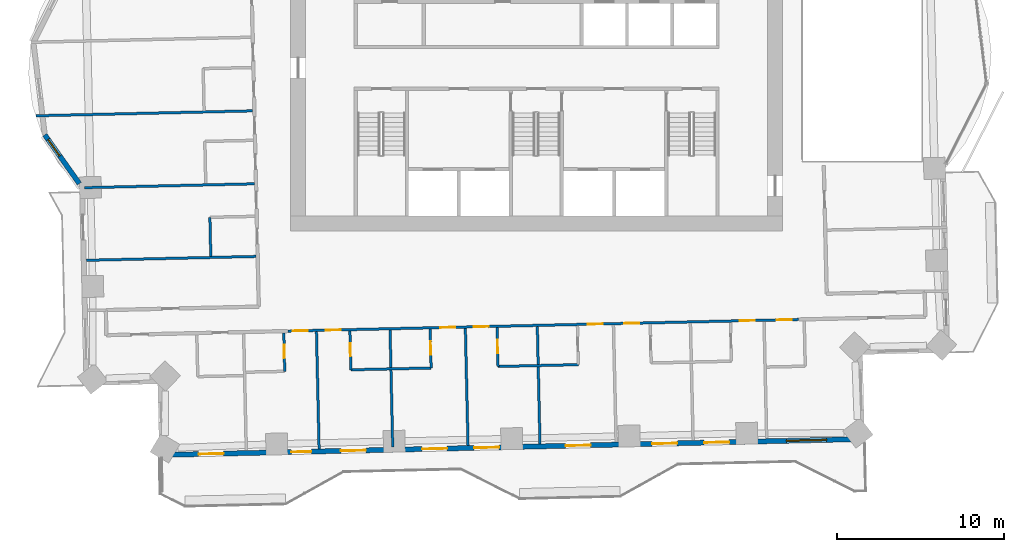
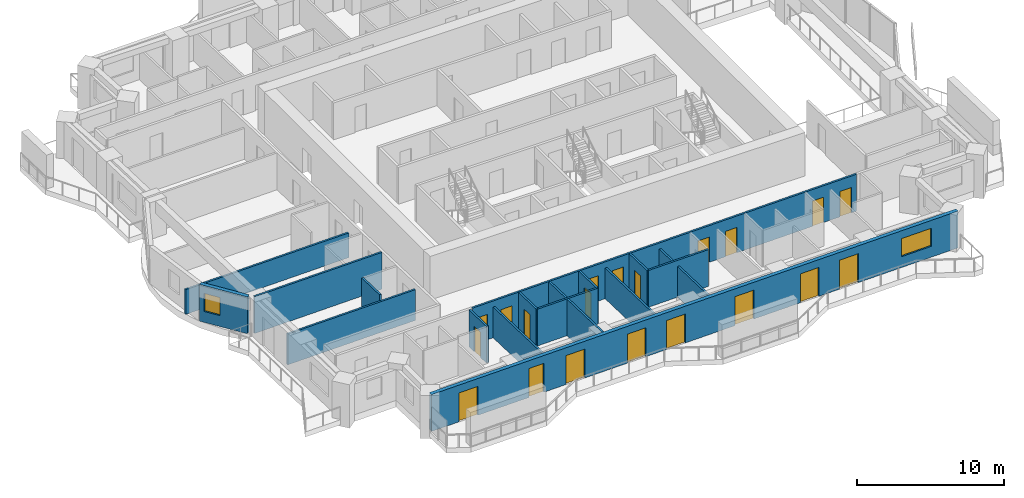
# One storey, part 6 of 16: 20 doors, 17 walls, 2 windows, 22 openings.
"""IFC4 building model written with IfcOpenShell, lengths in metres."""

from ifc_helpers import new_model, si_unit, direction, frame, frame_2d, origin, place, context, subcontext, project, spatial, rectangle, extrude, material, layer, layer_set, type_object, element, fill, save


model = new_model("IFC4")

# Units and contexts
model_context = context("Model", 3, precision=1e-05, world=origin(), true_north=direction((0.0, 1.0)))
body_context = subcontext(model_context, "Body", "Model", "MODEL_VIEW")
ifc_project = project(units=[si_unit("LENGTHUNIT", "METRE"), si_unit("AREAUNIT", "SQUARE_METRE"), si_unit("VOLUMEUNIT", "CUBIC_METRE"), si_unit("PLANEANGLEUNIT", "RADIAN"), si_unit("MASSUNIT", "GRAM", prefix="KILO")], contexts=[model_context])

# Site, building, storey
site_placement = place(None, origin())
site = spatial("IfcSite", under=ifc_project, at=site_placement, CompositionType="ELEMENT")
building_placement = place(site_placement, origin())
building = spatial("IfcBuilding", under=site, at=building_placement, Name="Mangrove Gate Tower", CompositionType="ELEMENT")
storey_placement = place(building_placement, frame((0.0, 0.0, 144.5)))
storey = spatial("IfcBuildingStorey", under=building, at=storey_placement, Name="L36", CompositionType="ELEMENT", Elevation=144.5)

# Wall, opening, window
ifc_material_1 = material(Name="Limestone", Category="masonry")
ifc_layer_1 = layer(ifc_material_1, 0.0400390625, Name="Limestone cladding")
ifc_material_2 = material(Name="Ventilated air gap")
ifc_layer_2 = layer(ifc_material_2, 0.0400390625, Name="Ventilated cavity")
ifc_material_3 = material(Name="Mineral wool insulation")
ifc_layer_3 = layer(ifc_material_3, 0.06005859375, Name="Insulation")
ifc_material_4 = material(Name="Breather membrane")
ifc_layer_4 = layer(ifc_material_4, 0.001953125, Name="Breather membrane")
ifc_material_5 = material(Name="Concrete C20/25 blockwork", Category="masonry")
ifc_layer_5 = layer(ifc_material_5, 0.14990234375, Name="Blockwork backing wall")
ifc_material_6 = material(Name="Gypsum plaster")
ifc_layer_6 = layer(ifc_material_6, 0.008056640625, Name="Internal plaster")
ifc_layer_set_1 = layer_set([ifc_layer_1, ifc_layer_2, ifc_layer_3, ifc_layer_4, ifc_layer_5, ifc_layer_6], Name="External wall 300 limestone cladding")
wall_type_1 = type_object("IfcWallType", Name="External wall 300 limestone cladding", PredefinedType="SOLIDWALL", material=ifc_layer_set_1)
wall_1_placement = place(storey_placement, frame((-29.387939453125, -5.9541015625, 0.0), z_axis=(0.0, 0.0, 1.0), x_axis=(0.578095163598, -0.815969351033, 0.0)))
wall_1 = element("IfcWall", 1, at=wall_1_placement, inside=storey, type_object=wall_type_1, Name="WALL-L36-W9f3", PredefinedType="SOLIDWALL", context=body_context, shape_type="SweptSolid", body=[
    extrude(rectangle(XDim=3.568603515625, YDim=0.300048828125, at=frame_2d((1.7841796875, 0.0))), origin(), (0.0, 0.0, 1.0), 3.050048828125),
])
opening_1_placement = place(wall_1_placement, frame((0.337890625, 0.0, 0.89990234375)))
opening_1 = element("IfcOpeningElement", 2, at=opening_1_placement, cuts=wall_1, Name="Opening W1", PredefinedType="OPENING", context=body_context, shape_type="SweptSolid", body=[
    extrude(rectangle(XDim=1.199951171875, YDim=1.5, at=frame_2d((0.60009765625, 0.75))), frame((0.0, 0.159912109375, 0.0), z_axis=(0.0, -1.0, 0.0), x_axis=(1.0, 0.0, 0.0)), (0.0, 0.0, 1.0), 0.320068359375),
])
ifc_material_7 = material(Name="Aluminium frame with double-glazed low-e glass", Category="aluminium")
window_type_1 = type_object("IfcWindowType", Name="Side lite 1200x1500", PartitioningType="SINGLE_PANEL", PredefinedType="WINDOW", material=ifc_material_7)
window_1_placement = place(opening_1_placement, origin())
window_1 = element("IfcWindow", 3, at=window_1_placement, inside=storey, type_object=window_type_1, Name="WIN-L36-W9f3", OverallHeight=1.5, OverallWidth=1.199951171875, PartitioningType="SINGLE_PANEL", PredefinedType="WINDOW", context=body_context, shape_type="SweptSolid", body=[
    extrude(rectangle(XDim=1.199951171875, YDim=1.5, at=frame_2d((0.60009765625, 0.75))), frame((0.0, 0.030029296875, 0.0), z_axis=(0.0, -1.0, 0.0), x_axis=(1.0, 0.0, 0.0)), (0.0, 0.0, 1.0), 0.06005859375),
])
fill(opening_1, window_1)

# Wall, openings, doors, window
wall_2_placement = place(storey_placement, frame((-22.39599609375, -25.077880859375, 0.0), z_axis=(0.0, 0.0, 1.0), x_axis=(0.99974279854, 0.022678993965, 0.0)))
wall_2 = element("IfcWall", 4, at=wall_2_placement, inside=storey, type_object=wall_type_1, Name="WALL-L36-S13", PredefinedType="SOLIDWALL", context=body_context, shape_type="SweptSolid", body=[
    extrude(rectangle(XDim=41.84375, YDim=0.300048828125, at=frame_2d((20.921875, 0.0))), origin(), (0.0, 0.0, 1.0), 3.050048828125),
])
opening_2_placement = place(wall_2_placement, frame((2.196044921875, 0.0, 0.0)))
opening_2 = element("IfcOpeningElement", 5, at=opening_2_placement, cuts=wall_2, Name="Opening BD1", PredefinedType="OPENING", context=body_context, shape_type="SweptSolid", body=[
    extrude(rectangle(XDim=1.5, YDim=2.39990234375, at=frame_2d((0.75, 1.199951171875))), frame((0.0, 0.159912109375, 0.0), z_axis=(0.0, -1.0, 0.0), x_axis=(1.0, 0.0, 0.0)), (0.0, 0.0, 1.0), 0.320068359375),
])
opening_3_placement = place(wall_2_placement, frame((7.737060546875, 0.0, 0.0)))
opening_3 = element("IfcOpeningElement", 6, at=opening_3_placement, cuts=wall_2, Name="Opening BD2", PredefinedType="OPENING", context=body_context, shape_type="SweptSolid", body=[
    extrude(rectangle(XDim=1.199951171875, YDim=2.39990234375, at=frame_2d((0.60009765625, 1.199951171875))), frame((0.0, 0.159912109375, 0.0), z_axis=(0.0, -1.0, 0.0), x_axis=(1.0, 0.0, 0.0)), (0.0, 0.0, 1.0), 0.320068359375),
])
opening_4_placement = place(wall_2_placement, frame((10.698974609375, 0.0, 0.0)))
opening_4 = element("IfcOpeningElement", 7, at=opening_4_placement, cuts=wall_2, Name="Opening BD1", PredefinedType="OPENING", context=body_context, shape_type="SweptSolid", body=[
    extrude(rectangle(XDim=1.5, YDim=2.39990234375, at=frame_2d((0.75, 1.199951171875))), frame((0.0, 0.159912109375, 0.0), z_axis=(0.0, -1.0, 0.0), x_axis=(1.0, 0.0, 0.0)), (0.0, 0.0, 1.0), 0.320068359375),
])
opening_5_placement = place(wall_2_placement, frame((15.549072265625, 0.0, 0.0)))
opening_5 = element("IfcOpeningElement", 8, at=opening_5_placement, cuts=wall_2, Name="Opening BD1", PredefinedType="OPENING", context=body_context, shape_type="SweptSolid", body=[
    extrude(rectangle(XDim=1.5, YDim=2.39990234375, at=frame_2d((0.75, 1.199951171875))), frame((0.0, 0.159912109375, 0.0), z_axis=(0.0, -1.0, 0.0), x_axis=(1.0, 0.0, 0.0)), (0.0, 0.0, 1.0), 0.320068359375),
])
opening_6_placement = place(wall_2_placement, frame((18.660888671875, 0.0, 0.0)))
opening_6 = element("IfcOpeningElement", 9, at=opening_6_placement, cuts=wall_2, Name="Opening BD1", PredefinedType="OPENING", context=body_context, shape_type="SweptSolid", body=[
    extrude(rectangle(XDim=1.5, YDim=2.39990234375, at=frame_2d((0.75, 1.199951171875))), frame((0.0, 0.159912109375, 0.0), z_axis=(0.0, -1.0, 0.0), x_axis=(1.0, 0.0, 0.0)), (0.0, 0.0, 1.0), 0.320068359375),
])
opening_7_placement = place(wall_2_placement, frame((24.125, 0.0, 0.0)))
opening_7 = element("IfcOpeningElement", 10, at=opening_7_placement, cuts=wall_2, Name="Opening BD1", PredefinedType="OPENING", context=body_context, shape_type="SweptSolid", body=[
    extrude(rectangle(XDim=1.5, YDim=2.39990234375, at=frame_2d((0.75, 1.199951171875))), frame((0.0, 0.159912109375, 0.0), z_axis=(0.0, -1.0, 0.0), x_axis=(1.0, 0.0, 0.0)), (0.0, 0.0, 1.0), 0.320068359375),
])
opening_8_placement = place(wall_2_placement, frame((29.298095703125, 0.0, 0.0)))
opening_8 = element("IfcOpeningElement", 11, at=opening_8_placement, cuts=wall_2, Name="Opening BD1", PredefinedType="OPENING", context=body_context, shape_type="SweptSolid", body=[
    extrude(rectangle(XDim=1.5, YDim=2.39990234375, at=frame_2d((0.75, 1.199951171875))), frame((0.0, 0.159912109375, 0.0), z_axis=(0.0, -1.0, 0.0), x_axis=(1.0, 0.0, 0.0)), (0.0, 0.0, 1.0), 0.320068359375),
])
opening_9_placement = place(wall_2_placement, frame((32.409912109375, 0.0, 0.0)))
opening_9 = element("IfcOpeningElement", 12, at=opening_9_placement, cuts=wall_2, Name="Opening BD1", PredefinedType="OPENING", context=body_context, shape_type="SweptSolid", body=[
    extrude(rectangle(XDim=1.5, YDim=2.39990234375, at=frame_2d((0.75, 1.199951171875))), frame((0.0, 0.159912109375, 0.0), z_axis=(0.0, -1.0, 0.0), x_axis=(1.0, 0.0, 0.0)), (0.0, 0.0, 1.0), 0.320068359375),
])
opening_10_placement = place(wall_2_placement, frame((37.323974609375, 0.0, 0.89990234375)))
opening_10 = element("IfcOpeningElement", 13, at=opening_10_placement, cuts=wall_2, Name="Opening W2", PredefinedType="OPENING", context=body_context, shape_type="SweptSolid", body=[
    extrude(rectangle(XDim=2.39990234375, YDim=1.5, at=frame_2d((1.199951171875, 0.75))), frame((0.0, 0.159912109375, 0.0), z_axis=(0.0, -1.0, 0.0), x_axis=(1.0, 0.0, 0.0)), (0.0, 0.0, 1.0), 0.320068359375),
])
ifc_material_8 = material(Name="Aluminium frame with laminated clear glass", Category="aluminium")
door_type_1 = type_object("IfcDoorType", Name="Balcony sliding door 1200x2400", OperationType="SLIDING_TO_LEFT", PredefinedType="DOOR", material=ifc_material_8)
door_1_placement = place(opening_3_placement, origin())
door_1 = element("IfcDoor", 14, at=door_1_placement, inside=storey, type_object=door_type_1, Name="DOOR-L36-S13-2", OperationType="SLIDING_TO_LEFT", OverallHeight=2.39990234375, OverallWidth=1.199951171875, PredefinedType="DOOR", context=body_context, shape_type="SweptSolid", body=[
    extrude(rectangle(XDim=1.199951171875, YDim=2.39990234375, at=frame_2d((0.60009765625, 1.199951171875))), frame((0.0, 0.02490234375, 0.0), z_axis=(0.0, -1.0, 0.0), x_axis=(1.0, 0.0, 0.0)), (0.0, 0.0, 1.0), 0.050048828125),
])
fill(opening_3, door_1)
ifc_material_9 = material(Name="Aluminium frame with laminated clear glass", Category="aluminium")
door_type_2 = type_object("IfcDoorType", Name="Balcony sliding door 1500x2400", OperationType="SLIDING_TO_LEFT", PredefinedType="DOOR", material=ifc_material_9)
door_2_placement = place(opening_2_placement, origin())
door_2 = element("IfcDoor", 15, at=door_2_placement, inside=storey, type_object=door_type_2, Name="DOOR-L36-S13-1", OperationType="SLIDING_TO_LEFT", OverallHeight=2.39990234375, OverallWidth=1.5, PredefinedType="DOOR", context=body_context, shape_type="SweptSolid", body=[
    extrude(rectangle(XDim=1.5, YDim=2.39990234375, at=frame_2d((0.75, 1.199951171875))), frame((0.0, 0.02490234375, 0.0), z_axis=(0.0, -1.0, 0.0), x_axis=(1.0, 0.0, 0.0)), (0.0, 0.0, 1.0), 0.050048828125),
])
fill(opening_2, door_2)
door_3_placement = place(opening_4_placement, origin())
door_3 = element("IfcDoor", 16, at=door_3_placement, inside=storey, type_object=door_type_2, Name="DOOR-L36-S13-3", OperationType="SLIDING_TO_LEFT", OverallHeight=2.39990234375, OverallWidth=1.5, PredefinedType="DOOR", context=body_context, shape_type="SweptSolid", body=[
    extrude(rectangle(XDim=1.5, YDim=2.39990234375, at=frame_2d((0.75, 1.199951171875))), frame((0.0, 0.02490234375, 0.0), z_axis=(0.0, -1.0, 0.0), x_axis=(1.0, 0.0, 0.0)), (0.0, 0.0, 1.0), 0.050048828125),
])
fill(opening_4, door_3)
door_4_placement = place(opening_5_placement, origin())
door_4 = element("IfcDoor", 17, at=door_4_placement, inside=storey, type_object=door_type_2, Name="DOOR-L36-S13-4", OperationType="SLIDING_TO_LEFT", OverallHeight=2.39990234375, OverallWidth=1.5, PredefinedType="DOOR", context=body_context, shape_type="SweptSolid", body=[
    extrude(rectangle(XDim=1.5, YDim=2.39990234375, at=frame_2d((0.75, 1.199951171875))), frame((0.0, 0.02490234375, 0.0), z_axis=(0.0, -1.0, 0.0), x_axis=(1.0, 0.0, 0.0)), (0.0, 0.0, 1.0), 0.050048828125),
])
fill(opening_5, door_4)
door_5_placement = place(opening_6_placement, origin())
door_5 = element("IfcDoor", 18, at=door_5_placement, inside=storey, type_object=door_type_2, Name="DOOR-L36-S13-5", OperationType="SLIDING_TO_LEFT", OverallHeight=2.39990234375, OverallWidth=1.5, PredefinedType="DOOR", context=body_context, shape_type="SweptSolid", body=[
    extrude(rectangle(XDim=1.5, YDim=2.39990234375, at=frame_2d((0.75, 1.199951171875))), frame((0.0, 0.02490234375, 0.0), z_axis=(0.0, -1.0, 0.0), x_axis=(1.0, 0.0, 0.0)), (0.0, 0.0, 1.0), 0.050048828125),
])
fill(opening_6, door_5)
door_6_placement = place(opening_7_placement, origin())
door_6 = element("IfcDoor", 19, at=door_6_placement, inside=storey, type_object=door_type_2, Name="DOOR-L36-S13-6", OperationType="SLIDING_TO_LEFT", OverallHeight=2.39990234375, OverallWidth=1.5, PredefinedType="DOOR", context=body_context, shape_type="SweptSolid", body=[
    extrude(rectangle(XDim=1.5, YDim=2.39990234375, at=frame_2d((0.75, 1.199951171875))), frame((0.0, 0.02490234375, 0.0), z_axis=(0.0, -1.0, 0.0), x_axis=(1.0, 0.0, 0.0)), (0.0, 0.0, 1.0), 0.050048828125),
])
fill(opening_7, door_6)
door_7_placement = place(opening_8_placement, origin())
door_7 = element("IfcDoor", 20, at=door_7_placement, inside=storey, type_object=door_type_2, Name="DOOR-L36-S13-7", OperationType="SLIDING_TO_LEFT", OverallHeight=2.39990234375, OverallWidth=1.5, PredefinedType="DOOR", context=body_context, shape_type="SweptSolid", body=[
    extrude(rectangle(XDim=1.5, YDim=2.39990234375, at=frame_2d((0.75, 1.199951171875))), frame((0.0, 0.02490234375, 0.0), z_axis=(0.0, -1.0, 0.0), x_axis=(1.0, 0.0, 0.0)), (0.0, 0.0, 1.0), 0.050048828125),
])
fill(opening_8, door_7)
door_8_placement = place(opening_9_placement, origin())
door_8 = element("IfcDoor", 21, at=door_8_placement, inside=storey, type_object=door_type_2, Name="DOOR-L36-S13-8", OperationType="SLIDING_TO_LEFT", OverallHeight=2.39990234375, OverallWidth=1.5, PredefinedType="DOOR", context=body_context, shape_type="SweptSolid", body=[
    extrude(rectangle(XDim=1.5, YDim=2.39990234375, at=frame_2d((0.75, 1.199951171875))), frame((0.0, 0.02490234375, 0.0), z_axis=(0.0, -1.0, 0.0), x_axis=(1.0, 0.0, 0.0)), (0.0, 0.0, 1.0), 0.050048828125),
])
fill(opening_9, door_8)
ifc_material_10 = material(Name="Aluminium frame with double-glazed low-e glass", Category="aluminium")
window_type_2 = type_object("IfcWindowType", Name="Corner room window 2400x1500", PartitioningType="DOUBLE_PANEL_VERTICAL", PredefinedType="WINDOW", material=ifc_material_10)
window_2_placement = place(opening_10_placement, origin())
window_2 = element("IfcWindow", 22, at=window_2_placement, inside=storey, type_object=window_type_2, Name="WIN-L36-S13-9", OverallHeight=1.5, OverallWidth=2.39990234375, PartitioningType="DOUBLE_PANEL_VERTICAL", PredefinedType="WINDOW", context=body_context, shape_type="SweptSolid", body=[
    extrude(rectangle(XDim=2.39990234375, YDim=1.5, at=frame_2d((1.199951171875, 0.75))), frame((0.0, 0.030029296875, 0.0), z_axis=(0.0, -1.0, 0.0), x_axis=(1.0, 0.0, 0.0)), (0.0, 0.0, 1.0), 0.06005859375),
])
fill(opening_10, window_2)

# Walls
ifc_material_11 = material(Name="Gypsum board on steel stud, EI 60", Category="steel")
ifc_layer_7 = layer(ifc_material_11, 0.14990234375)
ifc_layer_set_2 = layer_set([ifc_layer_7], Name="Party wall 150 EI 60")
wall_type_2 = type_object("IfcWallType", Name="Party wall 150 EI 60", PredefinedType="PARTITIONING", material=ifc_layer_set_2)
wall_3_placement = place(storey_placement, frame((-13.0, -24.715087890625, 0.0), z_axis=(0.0, 0.0, 1.0), x_axis=(-0.02255982614, 0.999745494736, 0.0)))
element("IfcWall", 23, at=wall_3_placement, inside=storey, type_object=wall_type_2, Name="WALL-L36-002", PredefinedType="PARTITIONING", context=body_context, shape_type="SweptSolid", body=[
    extrude(rectangle(XDim=7.001708984375, YDim=0.14990234375, at=frame_2d((3.5009765625, 0.0))), origin(), (0.0, 0.0, 1.0), 2.550048828125),
])
wall_4_placement = place(storey_placement, frame((-8.60107421875, -24.614990234375, 0.0), z_axis=(0.0, 0.0, 1.0), x_axis=(-0.022702393474, 0.999742267452, 0.0)))
element("IfcWall", 24, at=wall_4_placement, inside=storey, type_object=wall_type_2, Name="WALL-L36-003", PredefinedType="PARTITIONING", context=body_context, shape_type="SweptSolid", body=[
    extrude(rectangle(XDim=7.000732421875, YDim=0.14990234375, at=frame_2d((3.50048828125, 0.0))), origin(), (0.0, 0.0, 1.0), 3.050048828125),
])
wall_5_placement = place(storey_placement, frame((-4.10205078125, -24.512939453125, 0.0), z_axis=(0.0, 0.0, 1.0), x_axis=(-0.022699227919, 0.999742339331, 0.0)))
element("IfcWall", 25, at=wall_5_placement, inside=storey, type_object=wall_type_2, Name="WALL-L36-004", PredefinedType="PARTITIONING", context=body_context, shape_type="SweptSolid", body=[
    extrude(rectangle(XDim=7.001708984375, YDim=0.14990234375, at=frame_2d((3.5009765625, 0.0))), origin(), (0.0, 0.0, 1.0), 2.550048828125),
])
wall_6_placement = place(storey_placement, frame((0.197021484375, -24.4150390625, 0.0), z_axis=(0.0, 0.0, 1.0), x_axis=(-0.022702393474, 0.999742267452, 0.0)))
element("IfcWall", 26, at=wall_6_placement, inside=storey, type_object=wall_type_2, Name="WALL-L36-005", PredefinedType="PARTITIONING", context=body_context, shape_type="SweptSolid", body=[
    extrude(rectangle(XDim=7.000732421875, YDim=0.14990234375, at=frame_2d((3.50048828125, 0.0))), origin(), (0.0, 0.0, 1.0), 2.550048828125),
])

# Wall, opening, door
wall_7_placement = place(storey_placement, frame((-15.054931640625, -20.083984375, 0.0), z_axis=(0.0, 0.0, 1.0), x_axis=(-0.022612884682, 0.999744296031, 0.0)))
wall_7 = element("IfcWall", 27, at=wall_7_placement, inside=storey, type_object=wall_type_2, Name="WALL-L36-013", PredefinedType="PARTITIONING", context=body_context, shape_type="SweptSolid", body=[
    extrude(rectangle(XDim=2.299560546875, YDim=0.14990234375, at=frame_2d((1.14990234375, 0.0))), origin(), (0.0, 0.0, 1.0), 3.050048828125),
])
opening_11_placement = place(wall_7_placement, frame((0.800048828125, 0.0, 0.0)))
opening_11 = element("IfcOpeningElement", 28, at=opening_11_placement, cuts=wall_7, Name="Opening ED", PredefinedType="OPENING", context=body_context, shape_type="SweptSolid", body=[
    extrude(rectangle(XDim=0.800048828125, YDim=2.10009765625, at=frame_2d((0.39990234375, 1.050048828125))), frame((0.0, 0.0849609375, 0.0), z_axis=(0.0, -1.0, 0.0), x_axis=(1.0, 0.0, 0.0)), (0.0, 0.0, 1.0), 0.169921875),
])
ifc_material_12 = material(Name="Timber door leaf", Category="wood")
door_type_3 = type_object("IfcDoorType", Name="En-suite door 800", OperationType="SINGLE_SWING_LEFT", PredefinedType="DOOR", material=ifc_material_12)
door_9_placement = place(opening_11_placement, origin())
door_9 = element("IfcDoor", 29, at=door_9_placement, inside=storey, type_object=door_type_3, Name="DOOR-L36-ENS-c101", OperationType="SINGLE_SWING_LEFT", OverallHeight=2.10009765625, OverallWidth=0.800048828125, PredefinedType="DOOR", context=body_context, shape_type="SweptSolid", body=[
    extrude(rectangle(XDim=0.800048828125, YDim=2.10009765625, at=frame_2d((0.39990234375, 1.050048828125))), frame((0.0, 0.02490234375, 0.0), z_axis=(0.0, -1.0, 0.0), x_axis=(1.0, 0.0, 0.0)), (0.0, 0.0, 1.0), 0.050048828125),
])
fill(opening_11, door_9)

wall_8_placement = place(storey_placement, frame((-11.10595703125, -19.993896484375, 0.0), z_axis=(0.0, 0.0, 1.0), x_axis=(-0.02279059109, 0.999740260747, 0.0)))
wall_8 = element("IfcWall", 30, at=wall_8_placement, inside=storey, type_object=wall_type_2, Name="WALL-L36-014", PredefinedType="PARTITIONING", context=body_context, shape_type="SweptSolid", body=[
    extrude(rectangle(XDim=2.324462890625, YDim=0.14990234375, at=frame_2d((1.162109375, 0.0))), origin(), (0.0, 0.0, 1.0), 3.050048828125),
])
opening_12_placement = place(wall_8_placement, frame((0.800048828125, 0.0, 0.0)))
opening_12 = element("IfcOpeningElement", 31, at=opening_12_placement, cuts=wall_8, Name="Opening ED", PredefinedType="OPENING", context=body_context, shape_type="SweptSolid", body=[
    extrude(rectangle(XDim=0.800048828125, YDim=2.10009765625, at=frame_2d((0.39990234375, 1.050048828125))), frame((0.0, 0.0849609375, 0.0), z_axis=(0.0, -1.0, 0.0), x_axis=(1.0, 0.0, 0.0)), (0.0, 0.0, 1.0), 0.169921875),
])
door_10_placement = place(opening_12_placement, origin())
door_10 = element("IfcDoor", 32, at=door_10_placement, inside=storey, type_object=door_type_3, Name="DOOR-L36-ENS-c102", OperationType="SINGLE_SWING_RIGHT", OverallHeight=2.10009765625, OverallWidth=0.800048828125, PredefinedType="DOOR", context=body_context, shape_type="SweptSolid", body=[
    extrude(rectangle(XDim=0.800048828125, YDim=2.10009765625, at=frame_2d((0.39990234375, 1.050048828125))), frame((0.0, 0.02490234375, 0.0), z_axis=(0.0, -1.0, 0.0), x_axis=(1.0, 0.0, 0.0)), (0.0, 0.0, 1.0), 0.050048828125),
])
fill(opening_12, door_10)

wall_9_placement = place(storey_placement, frame((-6.306884765625, -19.885009765625, 0.0), z_axis=(0.0, 0.0, 1.0), x_axis=(-0.022895561926, 0.999737862264, 0.0)))
wall_9 = element("IfcWall", 33, at=wall_9_placement, inside=storey, type_object=wall_type_2, Name="WALL-L36-015", PredefinedType="PARTITIONING", context=body_context, shape_type="SweptSolid", body=[
    extrude(rectangle(XDim=2.324462890625, YDim=0.14990234375, at=frame_2d((1.162109375, 0.0))), origin(), (0.0, 0.0, 1.0), 3.050048828125),
])
opening_13_placement = place(wall_9_placement, frame((0.800048828125, 0.0, 0.0)))
opening_13 = element("IfcOpeningElement", 34, at=opening_13_placement, cuts=wall_9, Name="Opening ED", PredefinedType="OPENING", context=body_context, shape_type="SweptSolid", body=[
    extrude(rectangle(XDim=0.800048828125, YDim=2.10009765625, at=frame_2d((0.39990234375, 1.050048828125))), frame((0.0, 0.0849609375, 0.0), z_axis=(0.0, -1.0, 0.0), x_axis=(1.0, 0.0, 0.0)), (0.0, 0.0, 1.0), 0.169921875),
])
door_11_placement = place(opening_13_placement, origin())
door_11 = element("IfcDoor", 35, at=door_11_placement, inside=storey, type_object=door_type_3, Name="DOOR-L36-ENS-c103", OperationType="SINGLE_SWING_LEFT", OverallHeight=2.10009765625, OverallWidth=0.800048828125, PredefinedType="DOOR", context=body_context, shape_type="SweptSolid", body=[
    extrude(rectangle(XDim=0.800048828125, YDim=2.10009765625, at=frame_2d((0.39990234375, 1.050048828125))), frame((0.0, 0.02490234375, 0.0), z_axis=(0.0, -1.0, 0.0), x_axis=(1.0, 0.0, 0.0)), (0.0, 0.0, 1.0), 0.050048828125),
])
fill(opening_13, door_11)

wall_10_placement = place(storey_placement, frame((-2.30908203125, -19.794921875, 0.0), z_axis=(0.0, 0.0, 1.0), x_axis=(-0.022361308448, 0.999749954681, 0.0)))
wall_10 = element("IfcWall", 36, at=wall_10_placement, inside=storey, type_object=wall_type_2, Name="WALL-L36-016", PredefinedType="PARTITIONING", context=body_context, shape_type="SweptSolid", body=[
    extrude(rectangle(XDim=2.325439453125, YDim=0.14990234375, at=frame_2d((1.16259765625, 0.0))), origin(), (0.0, 0.0, 1.0), 3.050048828125),
])
opening_14_placement = place(wall_10_placement, frame((0.800048828125, 0.0, 0.0)))
opening_14 = element("IfcOpeningElement", 37, at=opening_14_placement, cuts=wall_10, Name="Opening ED", PredefinedType="OPENING", context=body_context, shape_type="SweptSolid", body=[
    extrude(rectangle(XDim=0.800048828125, YDim=2.10009765625, at=frame_2d((0.39990234375, 1.050048828125))), frame((0.0, 0.0849609375, 0.0), z_axis=(0.0, -1.0, 0.0), x_axis=(1.0, 0.0, 0.0)), (0.0, 0.0, 1.0), 0.169921875),
])
door_12_placement = place(opening_14_placement, origin())
door_12 = element("IfcDoor", 38, at=door_12_placement, inside=storey, type_object=door_type_3, Name="DOOR-L36-ENS-c204", OperationType="SINGLE_SWING_RIGHT", OverallHeight=2.10009765625, OverallWidth=0.800048828125, PredefinedType="DOOR", context=body_context, shape_type="SweptSolid", body=[
    extrude(rectangle(XDim=0.800048828125, YDim=2.10009765625, at=frame_2d((0.39990234375, 1.050048828125))), frame((0.0, 0.02490234375, 0.0), z_axis=(0.0, -1.0, 0.0), x_axis=(1.0, 0.0, 0.0)), (0.0, 0.0, 1.0), 0.050048828125),
])
fill(opening_14, door_12)

# Walls
wall_11_placement = place(storey_placement, frame((-11.10791015625, -19.989990234375, 0.0), z_axis=(0.0, 0.0, 1.0), x_axis=(0.99974716552, 0.022485662892, 0.0)))
element("IfcWall", 39, at=wall_11_placement, inside=storey, type_object=wall_type_2, Name="WALL-L36-021", PredefinedType="PARTITIONING", context=body_context, shape_type="SweptSolid", body=[
    extrude(rectangle(XDim=4.799072265625, YDim=0.14990234375, at=frame_2d((2.3994140625, 0.0))), origin(), (0.0, 0.0, 1.0), 3.050048828125),
])
wall_12_placement = place(storey_placement, frame((-2.31103515625, -19.791015625, 0.0), z_axis=(0.0, 0.0, 1.0), x_axis=(0.99974154664, 0.022734113616, 0.0)))
element("IfcWall", 40, at=wall_12_placement, inside=storey, type_object=wall_type_2, Name="WALL-L36-022", PredefinedType="PARTITIONING", context=body_context, shape_type="SweptSolid", body=[
    extrude(rectangle(XDim=4.80029296875, YDim=0.14990234375, at=frame_2d((2.400146484375, 0.0))), origin(), (0.0, 0.0, 1.0), 3.050048828125),
])

# Wall, openings, doors
wall_13_placement = place(storey_placement, frame((-14.87109375, -17.675048828125, 0.0), z_axis=(0.0, 0.0, 1.0), x_axis=(0.999742359486, 0.02269834024, 0.0)))
wall_13 = element("IfcWall", 41, at=wall_13_placement, inside=storey, type_object=wall_type_2, Name="WALL-L36-027", PredefinedType="PARTITIONING", context=body_context, shape_type="SweptSolid", body=[
    extrude(rectangle(XDim=30.535888671875, YDim=0.14990234375, at=frame_2d((15.26806640625, 0.0))), origin(), (0.0, 0.0, 1.0), 3.050048828125),
])
opening_15_placement = place(wall_13_placement, frame((0.283935546875, 0.0, 0.0)))
opening_15 = element("IfcOpeningElement", 42, at=opening_15_placement, cuts=wall_13, Name="Opening BD", PredefinedType="OPENING", context=body_context, shape_type="SweptSolid", body=[
    extrude(rectangle(XDim=0.89990234375, YDim=2.10009765625, at=frame_2d((0.449951171875, 1.050048828125))), frame((0.0, 0.0849609375, 0.0), z_axis=(0.0, -1.0, 0.0), x_axis=(1.0, 0.0, 0.0)), (0.0, 0.0, 1.0), 0.169921875),
])
opening_16_placement = place(wall_13_placement, frame((2.259033203125, 0.0, 0.0)))
opening_16 = element("IfcOpeningElement", 43, at=opening_16_placement, cuts=wall_13, Name="Opening BD", PredefinedType="OPENING", context=body_context, shape_type="SweptSolid", body=[
    extrude(rectangle(XDim=0.89990234375, YDim=2.10009765625, at=frame_2d((0.449951171875, 1.050048828125))), frame((0.0, 0.0849609375, 0.0), z_axis=(0.0, -1.0, 0.0), x_axis=(1.0, 0.0, 0.0)), (0.0, 0.0, 1.0), 0.169921875),
])
opening_17_placement = place(wall_13_placement, frame((9.10888671875, 0.0, 0.0)))
opening_17 = element("IfcOpeningElement", 44, at=opening_17_placement, cuts=wall_13, Name="Opening BD", PredefinedType="OPENING", context=body_context, shape_type="SweptSolid", body=[
    extrude(rectangle(XDim=0.89990234375, YDim=2.10009765625, at=frame_2d((0.449951171875, 1.050048828125))), frame((0.0, 0.0849609375, 0.0), z_axis=(0.0, -1.0, 0.0), x_axis=(1.0, 0.0, 0.0)), (0.0, 0.0, 1.0), 0.169921875),
])
opening_18_placement = place(wall_13_placement, frame((11.10888671875, 0.0, 0.0)))
opening_18 = element("IfcOpeningElement", 45, at=opening_18_placement, cuts=wall_13, Name="Opening BD", PredefinedType="OPENING", context=body_context, shape_type="SweptSolid", body=[
    extrude(rectangle(XDim=0.89990234375, YDim=2.10009765625, at=frame_2d((0.449951171875, 1.050048828125))), frame((0.0, 0.0849609375, 0.0), z_axis=(0.0, -1.0, 0.0), x_axis=(1.0, 0.0, 0.0)), (0.0, 0.0, 1.0), 0.169921875),
])
opening_19_placement = place(wall_13_placement, frame((17.93408203125, 0.0, 0.0)))
opening_19 = element("IfcOpeningElement", 46, at=opening_19_placement, cuts=wall_13, Name="Opening BD", PredefinedType="OPENING", context=body_context, shape_type="SweptSolid", body=[
    extrude(rectangle(XDim=0.89990234375, YDim=2.10009765625, at=frame_2d((0.449951171875, 1.050048828125))), frame((0.0, 0.0849609375, 0.0), z_axis=(0.0, -1.0, 0.0), x_axis=(1.0, 0.0, 0.0)), (0.0, 0.0, 1.0), 0.169921875),
])
opening_20_placement = place(wall_13_placement, frame((20.10888671875, 0.0, 0.0)))
opening_20 = element("IfcOpeningElement", 47, at=opening_20_placement, cuts=wall_13, Name="Opening BD", PredefinedType="OPENING", context=body_context, shape_type="SweptSolid", body=[
    extrude(rectangle(XDim=0.89990234375, YDim=2.10009765625, at=frame_2d((0.449951171875, 1.050048828125))), frame((0.0, 0.0849609375, 0.0), z_axis=(0.0, -1.0, 0.0), x_axis=(1.0, 0.0, 0.0)), (0.0, 0.0, 1.0), 0.169921875),
])
opening_21_placement = place(wall_13_placement, frame((27.009033203125, 0.0, 0.0)))
opening_21 = element("IfcOpeningElement", 48, at=opening_21_placement, cuts=wall_13, Name="Opening BD", PredefinedType="OPENING", context=body_context, shape_type="SweptSolid", body=[
    extrude(rectangle(XDim=0.89990234375, YDim=2.10009765625, at=frame_2d((0.449951171875, 1.050048828125))), frame((0.0, 0.0849609375, 0.0), z_axis=(0.0, -1.0, 0.0), x_axis=(1.0, 0.0, 0.0)), (0.0, 0.0, 1.0), 0.169921875),
])
opening_22_placement = place(wall_13_placement, frame((29.208984375, 0.0, 0.0)))
opening_22 = element("IfcOpeningElement", 49, at=opening_22_placement, cuts=wall_13, Name="Opening SD", PredefinedType="OPENING", context=body_context, shape_type="SweptSolid", body=[
    extrude(rectangle(XDim=0.89990234375, YDim=2.10009765625, at=frame_2d((0.449951171875, 1.050048828125))), frame((0.0, 0.0849609375, 0.0), z_axis=(0.0, -1.0, 0.0), x_axis=(1.0, 0.0, 0.0)), (0.0, 0.0, 1.0), 0.169921875),
])
ifc_material_13 = material(Name="Timber door leaf", Category="wood")
door_type_4 = type_object("IfcDoorType", Name="Bedroom door 900", OperationType="SINGLE_SWING_LEFT", PredefinedType="DOOR", material=ifc_material_13)
door_13_placement = place(opening_15_placement, origin())
door_13 = element("IfcDoor", 50, at=door_13_placement, inside=storey, type_object=door_type_4, Name="DOOR-L36-BED-c101", OperationType="SINGLE_SWING_LEFT", OverallHeight=2.10009765625, OverallWidth=0.89990234375, PredefinedType="DOOR", context=body_context, shape_type="SweptSolid", body=[
    extrude(rectangle(XDim=0.89990234375, YDim=2.10009765625, at=frame_2d((0.449951171875, 1.050048828125))), frame((0.0, 0.02490234375, 0.0), z_axis=(0.0, -1.0, 0.0), x_axis=(1.0, 0.0, 0.0)), (0.0, 0.0, 1.0), 0.050048828125),
])
fill(opening_15, door_13)
door_14_placement = place(opening_16_placement, origin())
door_14 = element("IfcDoor", 51, at=door_14_placement, inside=storey, type_object=door_type_4, Name="DOOR-L36-BED-c102", OperationType="SINGLE_SWING_RIGHT", OverallHeight=2.10009765625, OverallWidth=0.89990234375, PredefinedType="DOOR", context=body_context, shape_type="SweptSolid", body=[
    extrude(rectangle(XDim=0.89990234375, YDim=2.10009765625, at=frame_2d((0.449951171875, 1.050048828125))), frame((0.0, 0.02490234375, 0.0), z_axis=(0.0, -1.0, 0.0), x_axis=(1.0, 0.0, 0.0)), (0.0, 0.0, 1.0), 0.050048828125),
])
fill(opening_16, door_14)
door_15_placement = place(opening_17_placement, origin())
door_15 = element("IfcDoor", 52, at=door_15_placement, inside=storey, type_object=door_type_4, Name="DOOR-L36-BED-c103", OperationType="SINGLE_SWING_LEFT", OverallHeight=2.10009765625, OverallWidth=0.89990234375, PredefinedType="DOOR", context=body_context, shape_type="SweptSolid", body=[
    extrude(rectangle(XDim=0.89990234375, YDim=2.10009765625, at=frame_2d((0.449951171875, 1.050048828125))), frame((0.0, 0.02490234375, 0.0), z_axis=(0.0, -1.0, 0.0), x_axis=(1.0, 0.0, 0.0)), (0.0, 0.0, 1.0), 0.050048828125),
])
fill(opening_17, door_15)
door_16_placement = place(opening_18_placement, origin())
door_16 = element("IfcDoor", 53, at=door_16_placement, inside=storey, type_object=door_type_4, Name="DOOR-L36-BED-c204", OperationType="SINGLE_SWING_RIGHT", OverallHeight=2.10009765625, OverallWidth=0.89990234375, PredefinedType="DOOR", context=body_context, shape_type="SweptSolid", body=[
    extrude(rectangle(XDim=0.89990234375, YDim=2.10009765625, at=frame_2d((0.449951171875, 1.050048828125))), frame((0.0, 0.02490234375, 0.0), z_axis=(0.0, -1.0, 0.0), x_axis=(1.0, 0.0, 0.0)), (0.0, 0.0, 1.0), 0.050048828125),
])
fill(opening_18, door_16)
door_17_placement = place(opening_19_placement, origin())
door_17 = element("IfcDoor", 54, at=door_17_placement, inside=storey, type_object=door_type_4, Name="DOOR-L36-BED-c205", OperationType="SINGLE_SWING_LEFT", OverallHeight=2.10009765625, OverallWidth=0.89990234375, PredefinedType="DOOR", context=body_context, shape_type="SweptSolid", body=[
    extrude(rectangle(XDim=0.89990234375, YDim=2.10009765625, at=frame_2d((0.449951171875, 1.050048828125))), frame((0.0, 0.02490234375, 0.0), z_axis=(0.0, -1.0, 0.0), x_axis=(1.0, 0.0, 0.0)), (0.0, 0.0, 1.0), 0.050048828125),
])
fill(opening_19, door_17)
door_18_placement = place(opening_20_placement, origin())
door_18 = element("IfcDoor", 55, at=door_18_placement, inside=storey, type_object=door_type_4, Name="DOOR-L36-BED-c206", OperationType="SINGLE_SWING_RIGHT", OverallHeight=2.10009765625, OverallWidth=0.89990234375, PredefinedType="DOOR", context=body_context, shape_type="SweptSolid", body=[
    extrude(rectangle(XDim=0.89990234375, YDim=2.10009765625, at=frame_2d((0.449951171875, 1.050048828125))), frame((0.0, 0.02490234375, 0.0), z_axis=(0.0, -1.0, 0.0), x_axis=(1.0, 0.0, 0.0)), (0.0, 0.0, 1.0), 0.050048828125),
])
fill(opening_20, door_18)
door_19_placement = place(opening_21_placement, origin())
door_19 = element("IfcDoor", 56, at=door_19_placement, inside=storey, type_object=door_type_4, Name="DOOR-L36-BED-c307", OperationType="SINGLE_SWING_LEFT", OverallHeight=2.10009765625, OverallWidth=0.89990234375, PredefinedType="DOOR", context=body_context, shape_type="SweptSolid", body=[
    extrude(rectangle(XDim=0.89990234375, YDim=2.10009765625, at=frame_2d((0.449951171875, 1.050048828125))), frame((0.0, 0.02490234375, 0.0), z_axis=(0.0, -1.0, 0.0), x_axis=(1.0, 0.0, 0.0)), (0.0, 0.0, 1.0), 0.050048828125),
])
fill(opening_21, door_19)
ifc_material_14 = material(Name="Timber door leaf", Category="wood")
door_type_5 = type_object("IfcDoorType", Name="Service room door 900", OperationType="SINGLE_SWING_LEFT", PredefinedType="DOOR", material=ifc_material_14)
door_20_placement = place(opening_22_placement, origin())
door_20 = element("IfcDoor", 57, at=door_20_placement, inside=storey, type_object=door_type_5, Name="DOOR-L36-WC-c3a", OperationType="SINGLE_SWING_RIGHT", OverallHeight=2.10009765625, OverallWidth=0.89990234375, PredefinedType="DOOR", context=body_context, shape_type="SweptSolid", body=[
    extrude(rectangle(XDim=0.89990234375, YDim=2.10009765625, at=frame_2d((0.449951171875, 1.050048828125))), frame((0.0, 0.02490234375, 0.0), z_axis=(0.0, -1.0, 0.0), x_axis=(1.0, 0.0, 0.0)), (0.0, 0.0, 1.0), 0.050048828125),
])
fill(opening_22, door_20)

# Walls
wall_14_placement = place(storey_placement, frame((-19.471923828125, -13.20703125, 0.0), z_axis=(0.0, 0.0, 1.0), x_axis=(-0.02279059109, 0.999740260747, 0.0)))
element("IfcWall", 58, at=wall_14_placement, inside=storey, type_object=wall_type_2, Name="WALL-L36-035", PredefinedType="PARTITIONING", context=body_context, shape_type="SweptSolid", body=[
    extrude(rectangle(XDim=2.324462890625, YDim=0.14990234375, at=frame_2d((1.162109375, 0.0))), origin(), (0.0, 0.0, 1.0), 3.050048828125),
])
wall_15_placement = place(storey_placement, frame((-26.910888671875, -13.447021484375, 0.0), z_axis=(0.0, 0.0, 1.0), x_axis=(0.999742841246, 0.022677111331, 0.0)))
element("IfcWall", 59, at=wall_15_placement, inside=storey, type_object=wall_type_2, Name="WALL-L36-036", PredefinedType="PARTITIONING", context=body_context, shape_type="SweptSolid", body=[
    extrude(rectangle(XDim=10.1416015625, YDim=0.14990234375, at=frame_2d((5.07080078125, 0.0))), origin(), (0.0, 0.0, 1.0), 2.550048828125),
])
wall_16_placement = place(storey_placement, frame((-27.010009765625, -9.10791015625, 0.0), z_axis=(0.0, 0.0, 1.0), x_axis=(0.999742841246, 0.022677111331, 0.0)))
element("IfcWall", 60, at=wall_16_placement, inside=storey, type_object=wall_type_2, Name="WALL-L36-039", PredefinedType="PARTITIONING", context=body_context, shape_type="SweptSolid", body=[
    extrude(rectangle(XDim=10.1416015625, YDim=0.14990234375, at=frame_2d((5.07080078125, 0.0))), origin(), (0.0, 0.0, 1.0), 3.050048828125),
])
wall_17_placement = place(storey_placement, frame((-29.925048828125, -4.81298828125, 0.0), z_axis=(0.0, 0.0, 1.0), x_axis=(0.999742690772, 0.022683744152, 0.0)))
element("IfcWall", 61, at=wall_17_placement, inside=storey, type_object=wall_type_2, Name="WALL-L36-043", PredefinedType="PARTITIONING", context=body_context, shape_type="SweptSolid", body=[
    extrude(rectangle(XDim=12.95849609375, YDim=0.14990234375, at=frame_2d((6.479248046875, 0.0))), origin(), (0.0, 0.0, 1.0), 2.050048828125),
])

save(model, "model.ifc")
